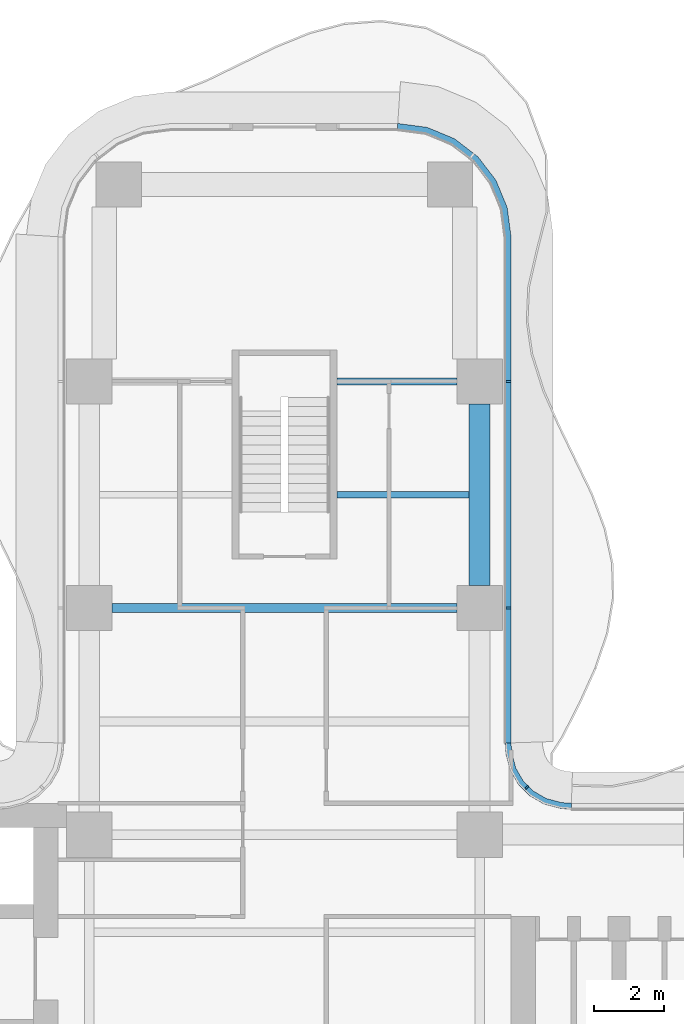
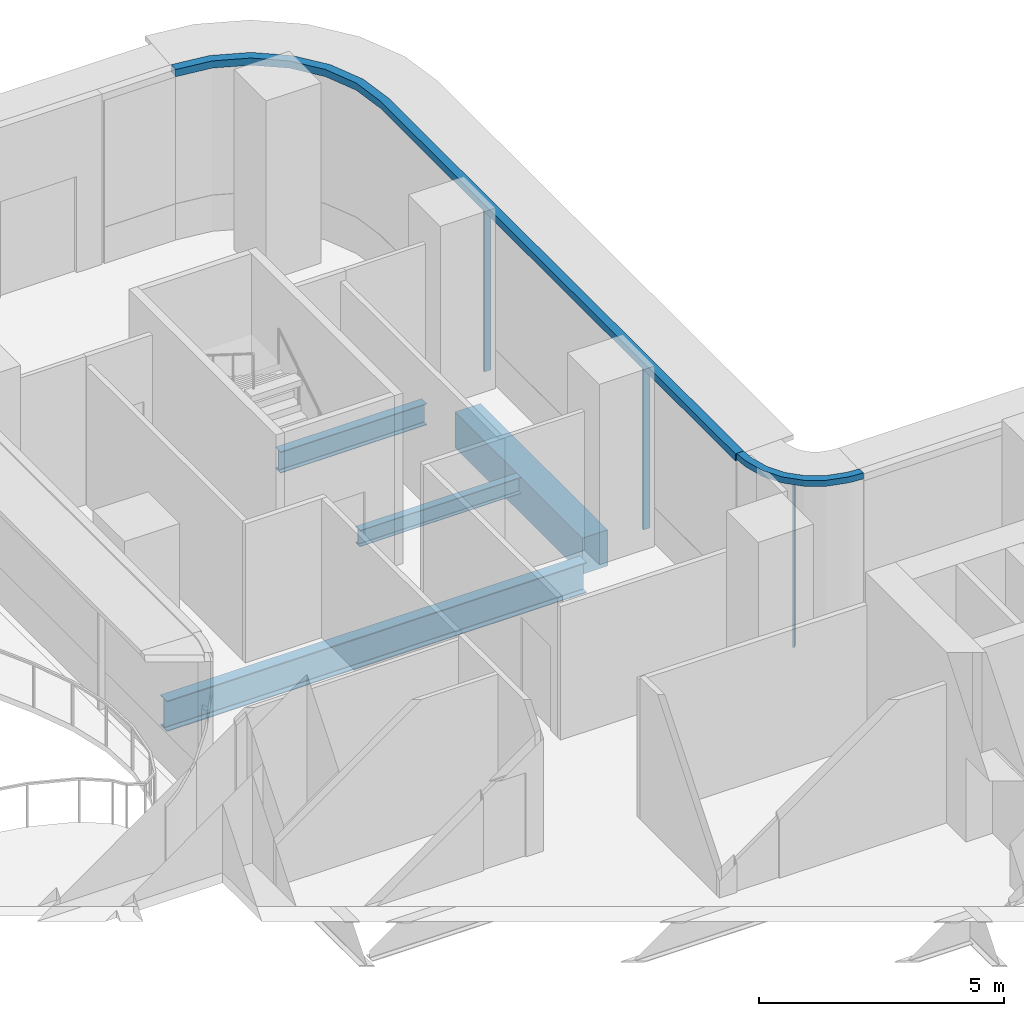
# One storey, part 10 of 23: 5 members, 4 beams, 2 elements without a shape of their own.
"""IFC4 building model written with IfcOpenShell, lengths in metres."""

from ifc_helpers import new_model, si_unit, direction, frame, origin, origin_2d, place, context, subcontext, project, spatial, polyline, rectangle, i_section, outline, extrude, source, transform, mapped, material, layer, layer_set, material_profile, profile_set, type_object, element, aggregate, save


model = new_model("IFC4")

# Units and contexts
model_context = context("Model", 3, precision=1e-05, world=origin(), true_north=direction((0.0, 1.0)))
body_context = subcontext(model_context, "Body", "Model", "MODEL_VIEW")
ifc_project = project(units=[si_unit("LENGTHUNIT", "METRE"), si_unit("AREAUNIT", "SQUARE_METRE"), si_unit("VOLUMEUNIT", "CUBIC_METRE"), si_unit("PLANEANGLEUNIT", "RADIAN"), si_unit("MASSUNIT", "GRAM", prefix="KILO")], contexts=[model_context])

# Site, building, storey
site_placement = place(None, origin())
site = spatial("IfcSite", under=ifc_project, at=site_placement, CompositionType="ELEMENT")
building_placement = place(site_placement, origin())
building = spatial("IfcBuilding", under=site, at=building_placement, Name="Trellis Farm Tower", CompositionType="ELEMENT")
storey_placement = place(building_placement, frame((0.0, 0.0, 111.0)))
storey = spatial("IfcBuildingStorey", under=building, at=storey_placement, Name="L23", CompositionType="ELEMENT", Elevation=111.0)

# Beams
ifc_material_1 = material(Name="Steel S355", Category="steel")
ifc_material_profile_1 = material_profile(ifc_material_1, i_section(OverallWidth=0.177978515625, OverallDepth=0.406494140625, WebThickness=0.0078125, FlangeThickness=0.0126953125, FilletRadius=0.01025390625, at=origin_2d()), Name="UB 406x178x60")
ifc_profile_set_1 = profile_set([ifc_material_profile_1], Name="Steel S355")
beam_type_1 = type_object("IfcBeamType", Name="UB 406x178x60 joist", PredefinedType="JOIST", material=ifc_profile_set_1)
shared_shape_1 = source(origin(), body_context, "Body", "SweptSolid", [
    extrude(i_section(OverallWidth=0.177978515625, OverallDepth=0.406494140625, WebThickness=0.0078125, FlangeThickness=0.0126953125, FilletRadius=0.01025390625, at=origin_2d()), origin(), (0.0, 0.0, 1.0), 3.800048828125),
])
beam_1_placement = place(storey_placement, frame((1.5, 15.35009765625, -0.453125), z_axis=(1.0, 0.0, 0.0), x_axis=(0.0, 1.0, 0.0)))
element("IfcBeam", 1, at=beam_1_placement, inside=storey, type_object=beam_type_1, Name="Floor beam", PredefinedType="JOIST", context=body_context, shape_type="MappedRepresentation", body=[
    mapped(shared_shape_1, transform((0.0, 0.0, 0.0))),
])
ifc_material_profile_2 = material_profile(ifc_material_1, i_section(OverallWidth=0.209228515625, OverallDepth=0.533203125, WebThickness=0.010009765625, FlangeThickness=0.015625, FilletRadius=0.0126953125, at=origin_2d()), Name="UB 533x210x92")
ifc_profile_set_2 = profile_set([ifc_material_profile_2], Name="Steel S355")
beam_type_2 = type_object("IfcBeamType", Name="UB 533x210x92", PredefinedType="BEAM", material=ifc_profile_set_2)
shared_shape_2 = source(origin(), body_context, "Body", "SweptSolid", [
    extrude(i_section(OverallWidth=0.209228515625, OverallDepth=0.533203125, WebThickness=0.010009765625, FlangeThickness=0.015625, FilletRadius=0.0126953125, at=origin_2d()), origin(), (0.0, 0.0, 1.0), 3.449951171875),
])
beam_2_placement = place(storey_placement, frame((1.5, 18.60009765625, -0.5166015625), z_axis=(1.0, 0.0, 0.0), x_axis=(0.0, 1.0, 0.0)))
element("IfcBeam", 2, at=beam_2_placement, inside=storey, type_object=beam_type_2, Name="Girder", PredefinedType="BEAM", context=body_context, shape_type="MappedRepresentation", body=[
    mapped(shared_shape_2, transform((0.0, 0.0, 0.0))),
])
ifc_material_profile_3 = material_profile(ifc_material_1, i_section(OverallWidth=0.2666015625, OverallDepth=0.76220703125, WebThickness=0.014404296875, FlangeThickness=0.021484375, FilletRadius=0.0166015625, at=origin_2d()), Name="UB 762x267x173")
ifc_profile_set_3 = profile_set([ifc_material_profile_3], Name="Steel S355")
beam_type_3 = type_object("IfcBeamType", Name="UB 762x267x173", PredefinedType="BEAM", material=ifc_profile_set_3)
shared_shape_3 = source(origin(), body_context, "Body", "SweptSolid", [
    extrude(i_section(OverallWidth=0.2666015625, OverallDepth=0.76220703125, WebThickness=0.014404296875, FlangeThickness=0.021484375, FilletRadius=0.0166015625, at=origin_2d()), origin(), (0.0, 0.0, 1.0), 9.89990234375),
])
beam_3_placement = place(storey_placement, frame((-4.949951171875, 12.10009765625, -0.631103515625), z_axis=(1.0, 0.0, 0.0), x_axis=(0.0, 1.0, 0.0)))
element("IfcBeam", 3, at=beam_3_placement, inside=storey, type_object=beam_type_3, Name="Girder", PredefinedType="BEAM", context=body_context, shape_type="MappedRepresentation", body=[
    mapped(shared_shape_3, transform((0.0, 0.0, 0.0))),
])
ifc_material_2 = material(Name="Concrete C60/75", Category="concrete")
ifc_material_profile_4 = material_profile(ifc_material_2, rectangle(XDim=0.60009765625, YDim=0.89990234375, at=origin_2d()), Name="RC spandrel beam 600x900 C60/75")
ifc_profile_set_4 = profile_set([ifc_material_profile_4], Name="Concrete C60/75")
beam_type_4 = type_object("IfcBeamType", Name="RC spandrel beam 600x900 C60/75", PredefinedType="SPANDREL", material=ifc_profile_set_4)
shared_shape_4 = source(origin(), body_context, "Body", "SweptSolid", [
    extrude(rectangle(XDim=0.60009765625, YDim=0.89990234375, at=origin_2d()), origin(), (0.0, 0.0, 1.0), 5.199951171875),
])
beam_4_placement = place(storey_placement, frame((5.60009765625, 12.75, -0.699951171875), z_axis=(0.0, 1.0, 0.0), x_axis=(-1.0, 0.0, 0.0)))
element("IfcBeam", 4, at=beam_4_placement, inside=storey, type_object=beam_type_4, Name="Girder", PredefinedType="SPANDREL", context=body_context, shape_type="MappedRepresentation", body=[
    mapped(shared_shape_4, transform((0.0, 0.0, 0.0))),
])

# Curtain wall, members
ifc_material_3 = material(Name="Aluminium and glass curtain wall", Category="aluminium")
ifc_layer_1 = layer(ifc_material_3, 0.18994140625)
ifc_layer_set_1 = layer_set([ifc_layer_1], Name="RIBBON CURTAIN WALL CW1")
curtain_wall_type_1 = type_object("IfcCurtainWallType", Name="RIBBON CURTAIN WALL CW1", PredefinedType="NOTDEFINED", material=ifc_layer_set_1)
placement = place(storey_placement, origin())
curtain_wall_1 = element("IfcCurtainWall", 5, at=placement, inside=storey, type_object=curtain_wall_type_1, Name="CW1 009", PredefinedType="NOTDEFINED")
ifc_material_4 = material(Name="Aluminium extrusion 6063-T6", Category="aluminium")
ifc_material_profile_5 = material_profile(ifc_material_4, rectangle(XDim=0.06005859375, YDim=0.14990234375, at=origin_2d()), Name="MULLION 60x150")
ifc_profile_set_5 = profile_set([ifc_material_profile_5], Name="Aluminium extrusion 6063-T6")
member_type_1 = type_object("IfcMemberType", Name="CW1 MULLION 60x150", PredefinedType="MULLION", material=ifc_profile_set_5)
shared_shape_5 = source(origin(), body_context, "Body", "SweptSolid", [
    extrude(rectangle(XDim=0.06005859375, YDim=0.14990234375, at=origin_2d()), origin(), (0.0, 0.0, 1.0), 4.070068359375),
])
member_1_placement = place(storey_placement, frame((6.425048828125, 12.10009765625, 0.0), z_axis=(0.0, 0.0, 1.0), x_axis=(0.0, 1.0, 0.0)))
member_1 = element("IfcMember", 6, at=member_1_placement, type_object=member_type_1, Name="MU1 009-01", PredefinedType="MULLION", context=body_context, shape_type="MappedRepresentation", body=[
    mapped(shared_shape_5, transform((0.0, 0.0, 0.0))),
])
member_2_placement = place(storey_placement, frame((6.425048828125, 18.60009765625, 0.0), z_axis=(0.0, 0.0, 1.0), x_axis=(0.0, 1.0, 0.0)))
member_2 = element("IfcMember", 7, at=member_2_placement, type_object=member_type_1, Name="MU1 009-02", PredefinedType="MULLION", context=body_context, shape_type="MappedRepresentation", body=[
    mapped(shared_shape_5, transform((0.0, 0.0, 0.0))),
])

ifc_layer_2 = layer(ifc_material_3, 0.166015625)
ifc_layer_set_2 = layer_set([ifc_layer_2], Name="WINTER GARDEN CURTAIN WALL CW3")
curtain_wall_type_2 = type_object("IfcCurtainWallType", Name="WINTER GARDEN CURTAIN WALL CW3", PredefinedType="NOTDEFINED", material=ifc_layer_set_2)
curtain_wall_2 = element("IfcCurtainWall", 8, at=placement, inside=storey, type_object=curtain_wall_type_2, Name="CW3 003", PredefinedType="NOTDEFINED")
ifc_material_profile_6 = material_profile(ifc_material_4, rectangle(XDim=0.050048828125, YDim=0.1201171875, at=origin_2d()), Name="MULLION 50x120")
ifc_profile_set_6 = profile_set([ifc_material_profile_6], Name="Aluminium extrusion 6063-T6")
member_type_2 = type_object("IfcMemberType", Name="CW3 MULLION 50x120", PredefinedType="MULLION", material=ifc_profile_set_6)
shared_shape_6 = source(origin(), body_context, "Body", "SweptSolid", [
    extrude(rectangle(XDim=0.050048828125, YDim=0.1201171875, at=origin_2d()), origin(), (0.0, 0.0, 1.0), 4.10009765625),
])
member_3_placement = place(storey_placement, frame((6.953125, 6.953125, 0.0), z_axis=(0.0, 0.0, 1.0), x_axis=(-0.707106781187, 0.707106781187, 0.0)))
member_3 = element("IfcMember", 9, at=member_3_placement, type_object=member_type_2, Name="MU3 003-01", PredefinedType="MULLION", context=body_context, shape_type="MappedRepresentation", body=[
    mapped(shared_shape_6, transform((0.0, 0.0, 0.0))),
])
ifc_layer_3 = layer(ifc_material_4, 0.169921875)
ifc_layer_set_3 = layer_set([ifc_layer_3], Name="Aluminium extrusion 6063-T6")
member_type_3 = type_object("IfcMemberType", Name="CW3 TRANSOM 170x150", PredefinedType="USERDEFINED", material=ifc_layer_set_3)
shared_shape_7 = source(origin(), body_context, "Body", "SweptSolid", [
    extrude(outline(polyline([(8.2314453125, 6.5), (8.01953125, 6.513916015625), (7.91552734375, 6.527587890625), (7.508544921875, 6.63671875), (7.144287109375, 6.846923828125), (6.846923828125, 7.144287109375), (6.63671875, 7.508544921875), (6.527587890625, 7.91552734375), (6.513916015625, 8.01953125), (6.5, 8.2314453125), (6.330078125, 8.225830078125), (6.3447265625, 8.0029296875), (6.360595703125, 7.88232421875), (6.478271484375, 7.44287109375), (6.7109375, 7.0400390625), (7.0400390625, 6.7109375), (7.44287109375, 6.478271484375), (7.88232421875, 6.360595703125), (8.0029296875, 6.3447265625), (8.225830078125, 6.330078125), (8.2314453125, 6.5)])), origin(), (0.0, 0.0, 1.0), 0.14990234375),
])
member_4_placement = place(storey_placement, frame((0.0, 0.0, 4.10009765625)))
member_4 = element("IfcMember", 10, at=member_4_placement, type_object=member_type_3, Name="TR3 003", ObjectType="TRANSOM", PredefinedType="USERDEFINED", context=body_context, shape_type="MappedRepresentation", body=[
    mapped(shared_shape_7, transform((0.0, 0.0, 0.0))),
])
aggregate(curtain_wall_2, [member_3, member_4])

# Member
ifc_layer_4 = layer(ifc_material_4, 0.199951171875)
ifc_layer_set_4 = layer_set([ifc_layer_4], Name="Aluminium extrusion 6063-T6")
member_type_4 = type_object("IfcMemberType", Name="CW1 TRANSOM 200x180", PredefinedType="USERDEFINED", material=ifc_layer_set_4)
shared_shape_8 = source(origin(), body_context, "Body", "SweptSolid", [
    extrude(outline(polyline([(6.5, 8.2314453125), (6.5, 22.75), (6.38916015625, 23.591064453125), (6.064697265625, 24.375), (5.548095703125, 25.048095703125), (4.875, 25.564697265625), (4.091064453125, 25.88916015625), (3.25, 26.0), (3.23681640625, 25.800048828125), (4.0390625, 25.6943359375), (4.774169921875, 25.389892578125), (5.405517578125, 24.905517578125), (5.889892578125, 24.274169921875), (6.1943359375, 23.5390625), (6.300048828125, 22.73681640625), (6.300048828125, 8.224853515625), (6.5, 8.2314453125)])), origin(), (0.0, 0.0, 1.0), 0.179931640625),
])
member_5_placement = place(storey_placement, frame((0.0, 0.0, 4.070068359375)))
member_5 = element("IfcMember", 11, at=member_5_placement, type_object=member_type_4, Name="TR1 009", ObjectType="TRANSOM", PredefinedType="USERDEFINED", context=body_context, shape_type="MappedRepresentation", body=[
    mapped(shared_shape_8, transform((0.0, 0.0, 0.0))),
])

aggregate(curtain_wall_1, [member_1, member_2, member_5])

save(model, "model.ifc")
